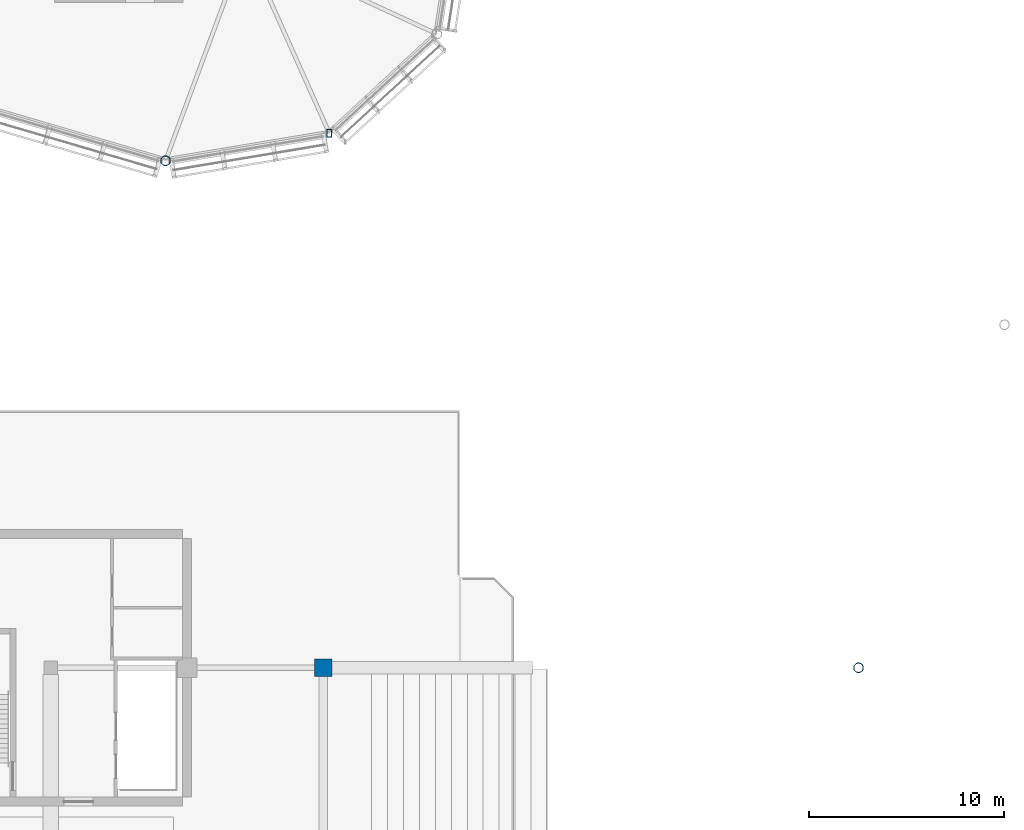
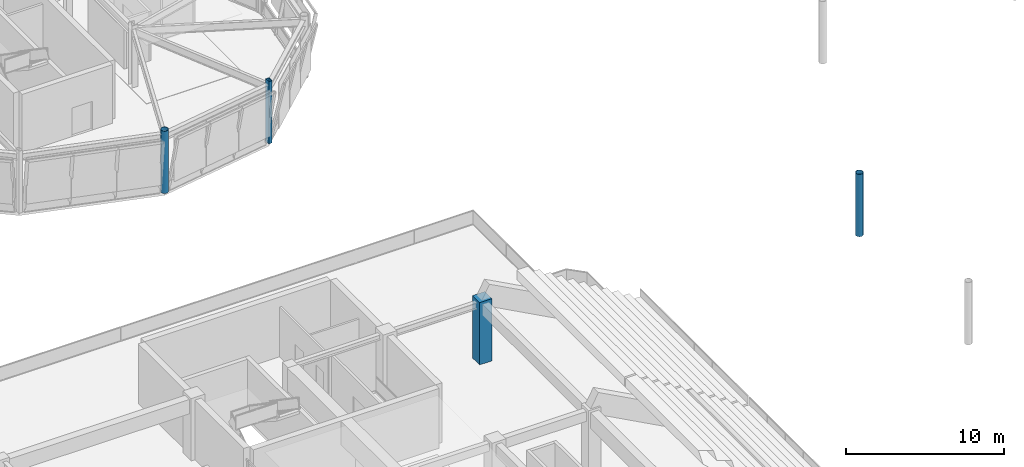
# One storey, part 9 of 94: 4 columns.
"""IFC4 building model written with IfcOpenShell, lengths in metres."""

from ifc_helpers import new_model, si_unit, direction, frame, origin, origin_2d, place, context, subcontext, project, spatial, rectangle, hollow_rectangle, hollow_circle, extrude, material, material_profile, profile_set, type_object, element, save


model = new_model("IFC4")

# Units and contexts
model_context = context("Model", 3, precision=1e-05, world=origin(), true_north=direction((0.0, 1.0)))
body_context = subcontext(model_context, "Body", "Model", "MODEL_VIEW")
ifc_project = project(units=[si_unit("LENGTHUNIT", "METRE"), si_unit("AREAUNIT", "SQUARE_METRE"), si_unit("VOLUMEUNIT", "CUBIC_METRE"), si_unit("PLANEANGLEUNIT", "RADIAN"), si_unit("MASSUNIT", "GRAM", prefix="KILO")], contexts=[model_context])

# Site, building, storey
site_placement = place(None, origin())
site = spatial("IfcSite", under=ifc_project, at=site_placement, CompositionType="ELEMENT")
building_placement = place(site_placement, origin())
building = spatial("IfcBuilding", under=site, at=building_placement, Name="Linyun Crest Stadium", CompositionType="ELEMENT")
storey_placement = place(building_placement, frame((0.0, 0.0, 16.199951171875)))
storey = spatial("IfcBuildingStorey", under=building, at=storey_placement, Name="L04", CompositionType="ELEMENT", Elevation=16.199951171875)

# Columns
ifc_material_1 = material(Name="Concrete C50", Category="concrete")
ifc_material_profile_1 = material_profile(ifc_material_1, rectangle(XDim=0.89990234375, YDim=0.89990234375, at=origin_2d()), Name="RC 900x900")
ifc_profile_set_1 = profile_set([ifc_material_profile_1], Name="Concrete C50")
column_type_1 = type_object("IfcColumnType", Name="C04", PredefinedType="COLUMN", material=ifc_profile_set_1)
column_1_placement = place(storey_placement, frame((-63.0, 43.375, 0.0), z_axis=(0.0, 0.0, 1.0), x_axis=(1.0, 0.0, 0.0)))
element("IfcColumn", 1, at=column_1_placement, inside=storey, type_object=column_type_1, Name="Column C04 L04 240", PredefinedType="COLUMN", context=body_context, shape_type="SweptSolid", body=[
    extrude(rectangle(XDim=0.89990234375, YDim=0.89990234375, at=origin_2d()), origin(), (0.0, 0.0, 1.0), 4.800048828125),
])
ifc_material_2 = material(Name="Steel Q355C", Category="steel")
ifc_material_profile_2 = material_profile(ifc_material_2, hollow_circle(Radius=0.25390625, WallThickness=0.02490234375, at=origin_2d()), Name="CHS 508x25")
ifc_profile_set_2 = profile_set([ifc_material_profile_2], Name="Steel Q355C")
column_type_2 = type_object("IfcColumnType", Name="SC05", PredefinedType="COLUMN", material=ifc_profile_set_2)
column_2_placement = place(storey_placement, frame((-71.10595703125, 69.424072265625, 0.0), z_axis=(0.0, 0.0, 1.0), x_axis=(1.0, 0.0, 0.0)))
element("IfcColumn", 2, at=column_2_placement, inside=storey, type_object=column_type_2, Name="Pod perimeter column SC05 L04 987", PredefinedType="COLUMN", context=body_context, shape_type="SweptSolid", body=[
    extrude(hollow_circle(Radius=0.25390625, WallThickness=0.02490234375, at=origin_2d()), origin(), (0.0, 0.0, 1.0), 4.798095703125),
])
column_3_placement = place(storey_placement, frame((-35.5, 43.375, 0.0), z_axis=(0.0, 0.0, 1.0), x_axis=(1.0, 0.0, 0.0)))
element("IfcColumn", 3, at=column_3_placement, inside=storey, type_object=column_type_2, Name="Arch colonnade column SC05 L04 16", PredefinedType="COLUMN", context=body_context, shape_type="SweptSolid", body=[
    extrude(hollow_circle(Radius=0.25390625, WallThickness=0.02490234375, at=origin_2d()), origin(), (0.0, 0.0, 1.0), 4.800048828125),
])
ifc_material_3 = material(Name="Steel Q355C", Category="steel")
ifc_material_profile_3 = material_profile(ifc_material_3, hollow_rectangle(XDim=0.25, YDim=0.39990234375, WallThickness=0.01611328125, at=origin_2d()), Name="RHS 400x250x16")
ifc_profile_set_3 = profile_set([ifc_material_profile_3], Name="Steel Q355C")
column_type_3 = type_object("IfcColumnType", Name="SC06", PredefinedType="COLUMN", material=ifc_profile_set_3)
column_4_placement = place(storey_placement, frame((-62.68701171875, 70.833984375, 0.0), z_axis=(0.0, 0.0, 1.0), x_axis=(1.0, 0.0, 0.0)))
element("IfcColumn", 4, at=column_4_placement, inside=storey, type_object=column_type_3, Name="Pod perimeter column SC06 L04 991", PredefinedType="COLUMN", context=body_context, shape_type="SweptSolid", body=[
    extrude(hollow_rectangle(XDim=0.25, YDim=0.39990234375, WallThickness=0.01611328125, at=origin_2d()), origin(), (0.0, 0.0, 1.0), 4.798095703125),
])

save(model, "model.ifc")
